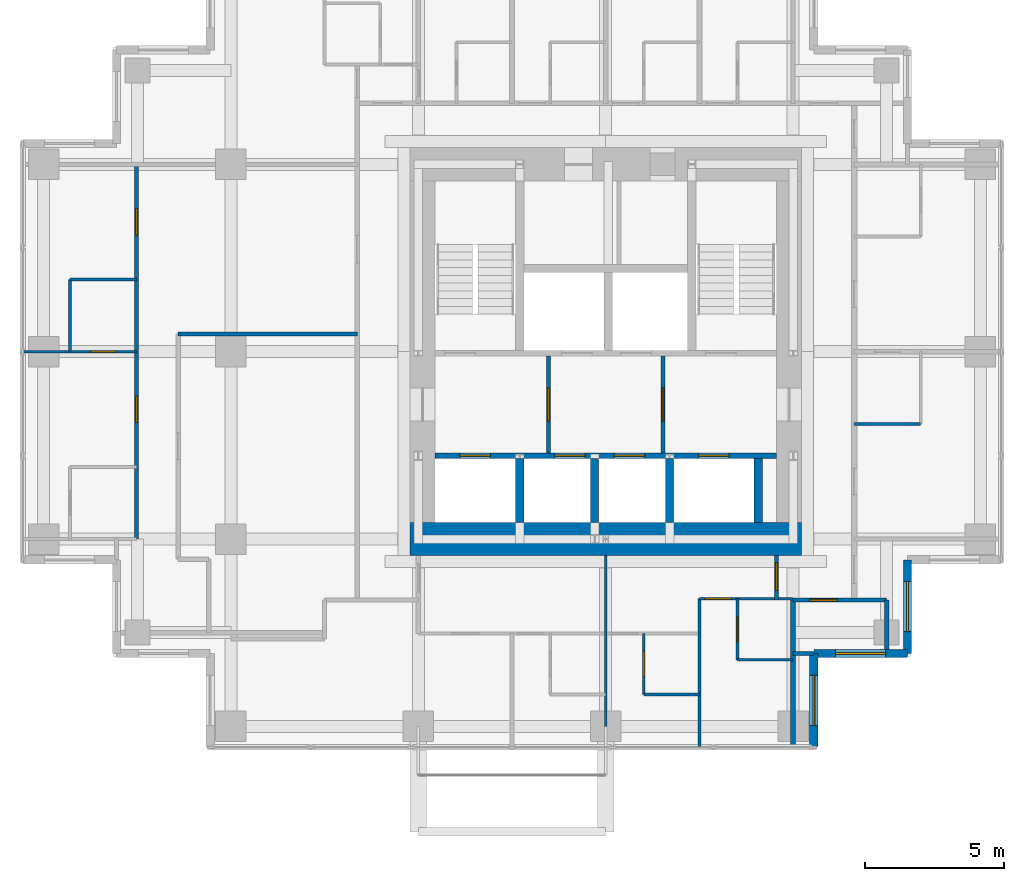
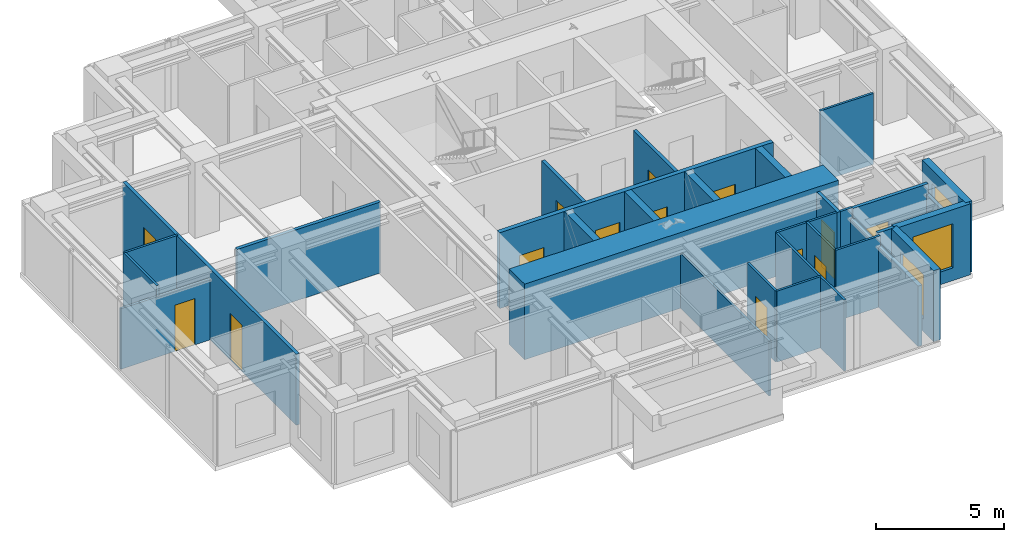
# One storey, part 4 of 8: 29 walls, 14 doors, 3 windows, 17 openings.
"""IFC4 building model written with IfcOpenShell, lengths in metres."""

from ifc_helpers import new_model, si_unit, direction, frame, frame_2d, origin, place, context, subcontext, project, spatial, rectangle, extrude, material, layer, layer_set, type_object, element, fill, save


model = new_model("IFC4")

# Units and contexts
model_context = context("Model", 3, precision=1e-05, world=origin(), true_north=direction((0.0, 1.0)))
body_context = subcontext(model_context, "Body", "Model", "MODEL_VIEW")
ifc_project = project(units=[si_unit("LENGTHUNIT", "METRE"), si_unit("AREAUNIT", "SQUARE_METRE"), si_unit("VOLUMEUNIT", "CUBIC_METRE"), si_unit("PLANEANGLEUNIT", "RADIAN"), si_unit("MASSUNIT", "GRAM", prefix="KILO")], contexts=[model_context])

# Site, building, storey
site_placement = place(None, origin())
site = spatial("IfcSite", under=ifc_project, at=site_placement, CompositionType="ELEMENT")
building_placement = place(site_placement, origin())
building = spatial("IfcBuilding", under=site, at=building_placement, Name="Nyansa Garden Tower", CompositionType="ELEMENT")
storey_placement = place(building_placement, frame((0.0, 0.0, 222.300048828125)))
storey = spatial("IfcBuildingStorey", under=building, at=storey_placement, Name="L60", CompositionType="ELEMENT", Elevation=222.300048828125)

# Wall
ifc_material_1 = material(Name="Dense blockwork, plastered both sides, 55 dB", Category="masonry")
ifc_layer_1 = layer(ifc_material_1, 0.175048828125)
ifc_layer_set_1 = layer_set([ifc_layer_1], Name="Acoustic party wall PW175")
wall_type_1 = type_object("IfcWallType", Name="Acoustic party wall PW175", PredefinedType="PARTITIONING", material=ifc_layer_set_1)
wall_1_placement = place(storey_placement, frame((27.0, 6.01611328125, 0.0), z_axis=(0.0, 0.0, 1.0), x_axis=(0.0, 1.0, 0.0)))
element("IfcWall", 1, at=wall_1_placement, inside=storey, type_object=wall_type_1, Name="Party wall", PredefinedType="PARTITIONING", context=body_context, shape_type="SweptSolid", body=[
    extrude(rectangle(XDim=5.333984375, YDim=0.175048828125, at=frame_2d((2.6669921875, 0.0))), origin(), (0.0, 0.0, 1.0), 2.876953125),
])

# Wall, openings, doors
ifc_material_2 = material(Name="Concrete C70/85", Category="concrete")
ifc_layer_2 = layer(ifc_material_2, 0.199951171875)
ifc_layer_set_2 = layer_set([ifc_layer_2], Name="Core inner wall CI200")
wall_type_2 = type_object("IfcWallType", Name="Core inner wall CI200", PredefinedType="SHEAR", material=ifc_layer_set_2)
wall_2_placement = place(storey_placement, frame((14.10009765625, 16.5, 0.0), z_axis=(0.0, 0.0, 1.0), x_axis=(1.0, 0.0, 0.0)))
wall_2 = element("IfcWall", 2, at=wall_2_placement, inside=storey, type_object=wall_type_2, Name="Core inner wall L60", PredefinedType="SHEAR", context=body_context, shape_type="SweptSolid", body=[
    extrude(rectangle(XDim=12.2998046875, YDim=0.199951171875, at=frame_2d((6.14990234375, 0.0))), origin(), (0.0, 0.0, 1.0), 3.599853515625),
])
opening_1_placement = place(wall_2_placement, frame((0.89990234375, 0.0, 0.0)))
opening_1 = element("IfcOpeningElement", 3, at=opening_1_placement, cuts=wall_2, Name="Opening LD-F", PredefinedType="OPENING", context=body_context, shape_type="SweptSolid", body=[
    extrude(rectangle(XDim=1.10009765625, YDim=2.199951171875, at=frame_2d((0.550048828125, 1.10009765625))), frame((0.0, 0.10986328125, 0.0), z_axis=(0.0, -1.0, 0.0), x_axis=(1.0, 0.0, 0.0)), (0.0, 0.0, 1.0), 0.219970703125),
])
opening_2_placement = place(wall_2_placement, frame((4.31005859375, 0.0, 0.0)))
opening_2 = element("IfcOpeningElement", 4, at=opening_2_placement, cuts=wall_2, Name="Opening LD-B", PredefinedType="OPENING", context=body_context, shape_type="SweptSolid", body=[
    extrude(rectangle(XDim=1.10009765625, YDim=2.199951171875, at=frame_2d((0.550048828125, 1.10009765625))), frame((0.0, 0.10986328125, 0.0), z_axis=(0.0, -1.0, 0.0), x_axis=(1.0, 0.0, 0.0)), (0.0, 0.0, 1.0), 0.219970703125),
])
opening_3_placement = place(wall_2_placement, frame((6.449951171875, 0.0, 0.0)))
opening_3 = element("IfcOpeningElement", 5, at=opening_3_placement, cuts=wall_2, Name="Opening LD-B", PredefinedType="OPENING", context=body_context, shape_type="SweptSolid", body=[
    extrude(rectangle(XDim=1.10009765625, YDim=2.199951171875, at=frame_2d((0.550048828125, 1.10009765625))), frame((0.0, 0.10986328125, 0.0), z_axis=(0.0, -1.0, 0.0), x_axis=(1.0, 0.0, 0.0)), (0.0, 0.0, 1.0), 0.219970703125),
])
opening_4_placement = place(wall_2_placement, frame((9.5, 0.0, 0.0)))
opening_4 = element("IfcOpeningElement", 6, at=opening_4_placement, cuts=wall_2, Name="Opening LD-F", PredefinedType="OPENING", context=body_context, shape_type="SweptSolid", body=[
    extrude(rectangle(XDim=1.10009765625, YDim=2.199951171875, at=frame_2d((0.550048828125, 1.10009765625))), frame((0.0, 0.10986328125, 0.0), z_axis=(0.0, -1.0, 0.0), x_axis=(1.0, 0.0, 0.0)), (0.0, 0.0, 1.0), 0.219970703125),
])
ifc_material_3 = material(Name="Stainless steel centre-opening landing door of the high-rise lift, E 120", Category="steel")
door_type_1 = type_object("IfcDoorType", Name="Lift landing door LD-B 1100x2200", OperationType="DOUBLE_DOOR_SLIDING", PredefinedType="DOOR", material=ifc_material_3)
door_1_placement = place(opening_2_placement, origin())
door_1 = element("IfcDoor", 7, at=door_1_placement, inside=storey, type_object=door_type_1, Name="Landing door B1", OperationType="DOUBLE_DOOR_SLIDING", OverallHeight=2.199951171875, OverallWidth=1.10009765625, PredefinedType="DOOR", context=body_context, shape_type="SweptSolid", body=[
    extrude(rectangle(XDim=1.10009765625, YDim=2.199951171875, at=frame_2d((0.550048828125, 1.10009765625))), frame((0.0, 0.02490234375, 0.0), z_axis=(0.0, -1.0, 0.0), x_axis=(1.0, 0.0, 0.0)), (0.0, 0.0, 1.0), 0.050048828125),
])
fill(opening_2, door_1)
door_2_placement = place(opening_3_placement, origin())
door_2 = element("IfcDoor", 8, at=door_2_placement, inside=storey, type_object=door_type_1, Name="Landing door B2", OperationType="DOUBLE_DOOR_SLIDING", OverallHeight=2.199951171875, OverallWidth=1.10009765625, PredefinedType="DOOR", context=body_context, shape_type="SweptSolid", body=[
    extrude(rectangle(XDim=1.10009765625, YDim=2.199951171875, at=frame_2d((0.550048828125, 1.10009765625))), frame((0.0, 0.02490234375, 0.0), z_axis=(0.0, -1.0, 0.0), x_axis=(1.0, 0.0, 0.0)), (0.0, 0.0, 1.0), 0.050048828125),
])
fill(opening_3, door_2)
ifc_material_4 = material(Name="Stainless steel centre-opening landing door of the firefighting lift, EN 81-72, E 120", Category="steel")
door_type_2 = type_object("IfcDoorType", Name="Lift landing door LD-F 1100x2200", OperationType="DOUBLE_DOOR_SLIDING", PredefinedType="DOOR", material=ifc_material_4)
door_3_placement = place(opening_1_placement, origin())
door_3 = element("IfcDoor", 9, at=door_3_placement, inside=storey, type_object=door_type_2, Name="Landing door FF1", OperationType="DOUBLE_DOOR_SLIDING", OverallHeight=2.199951171875, OverallWidth=1.10009765625, PredefinedType="DOOR", context=body_context, shape_type="SweptSolid", body=[
    extrude(rectangle(XDim=1.10009765625, YDim=2.199951171875, at=frame_2d((0.550048828125, 1.10009765625))), frame((0.0, 0.02490234375, 0.0), z_axis=(0.0, -1.0, 0.0), x_axis=(1.0, 0.0, 0.0)), (0.0, 0.0, 1.0), 0.050048828125),
])
fill(opening_1, door_3)
door_4_placement = place(opening_4_placement, origin())
door_4 = element("IfcDoor", 10, at=door_4_placement, inside=storey, type_object=door_type_2, Name="Landing door FF2", OperationType="DOUBLE_DOOR_SLIDING", OverallHeight=2.199951171875, OverallWidth=1.10009765625, PredefinedType="DOOR", context=body_context, shape_type="SweptSolid", body=[
    extrude(rectangle(XDim=1.10009765625, YDim=2.199951171875, at=frame_2d((0.550048828125, 1.10009765625))), frame((0.0, 0.02490234375, 0.0), z_axis=(0.0, -1.0, 0.0), x_axis=(1.0, 0.0, 0.0)), (0.0, 0.0, 1.0), 0.050048828125),
])
fill(opening_4, door_4)

# Walls
ifc_material_5 = material(Name="Concrete C70/85", Category="concrete")
ifc_layer_3 = layer(ifc_material_5, 0.300048828125)
ifc_layer_set_3 = layer_set([ifc_layer_3], Name="Core inner wall CI300")
wall_type_3 = type_object("IfcWallType", Name="Core inner wall CI300", PredefinedType="SHEAR", material=ifc_layer_set_3)
for number, where, z_axis, x_axis, name in (
    (11, (17.14990234375, 14.10009765625, 0.0), (0.0, 0.0, 1.0), (0.0, 1.0, 0.0), "Core inner wall L60"),
    (12, (19.85009765625, 14.10009765625, 0.0), (0.0, 0.0, 1.0), (0.0, 1.0, 0.0), "Core inner wall L60"),
    (13, (22.550048828125, 14.10009765625, 0.0), (0.0, 0.0, 1.0), (0.0, 1.0, 0.0), "Core inner wall L60"),
    (14, (25.75, 14.10009765625, 0.0), (0.0, 0.0, 1.0), (0.0, 1.0, 0.0), "Core inner wall L60"),
):
    element("IfcWall", number, at=place(storey_placement, frame(where, z_axis=z_axis, x_axis=x_axis)), inside=storey, type_object=wall_type_3, Name=name, PredefinedType="SHEAR", context=body_context, shape_type="SweptSolid", body=[
        extrude(rectangle(XDim=2.2998046875, YDim=0.300048828125, at=frame_2d((1.14990234375, 0.0))), origin(), (0.0, 0.0, 1.0), 3.599853515625),
    ])
ifc_material_6 = material(Name="Concrete C80/95", Category="concrete")
ifc_layer_4 = layer(ifc_material_6, 1.199951171875)
ifc_layer_set_4 = layer_set([ifc_layer_4], Name="Core wall CW1200")
wall_type_4 = type_object("IfcWallType", Name="Core wall CW1200", PredefinedType="SHEAR", material=ifc_layer_set_4)
wall_3_placement = place(storey_placement, frame((13.199951171875, 13.5, 0.0), z_axis=(0.0, 0.0, 1.0), x_axis=(1.0, 0.0, 0.0)))
element("IfcWall", 15, at=wall_3_placement, inside=storey, type_object=wall_type_4, Name="Core wall S L60", PredefinedType="SHEAR", context=body_context, shape_type="SweptSolid", body=[
    extrude(rectangle(XDim=14.10009765625, YDim=1.199951171875, at=frame_2d((7.050048828125, 0.0))), origin(), (0.0, 0.0, 1.0), 3.599853515625),
])

# Wall, opening, door
ifc_material_7 = material(Name="Blockwork, plastered both sides", Category="masonry")
ifc_layer_5 = layer(ifc_material_7, 0.14990234375)
ifc_layer_set_5 = layer_set([ifc_layer_5], Name="Partition PW150")
wall_type_5 = type_object("IfcWallType", Name="Partition PW150", PredefinedType="PARTITIONING", material=ifc_layer_set_5)
wall_4_placement = place(storey_placement, frame((18.18505859375, 16.60009765625, 0.0), z_axis=(0.0, 0.0, 1.0), x_axis=(0.0, 1.0, 0.0)))
wall_4 = element("IfcWall", 16, at=wall_4_placement, inside=storey, type_object=wall_type_5, Name="Partition", PredefinedType="PARTITIONING", context=body_context, shape_type="SweptSolid", body=[
    extrude(rectangle(XDim=3.5, YDim=0.14990234375, at=frame_2d((1.75, 0.0))), origin(), (0.0, 0.0, 1.0), 3.375),
])
opening_5_placement = place(wall_4_placement, frame((1.14990234375, 0.0, 0.0)))
opening_5 = element("IfcOpeningElement", 17, at=opening_5_placement, cuts=wall_4, Name="Opening D06", PredefinedType="OPENING", context=body_context, shape_type="SweptSolid", body=[
    extrude(rectangle(XDim=1.199951171875, YDim=2.199951171875, at=frame_2d((0.60009765625, 1.10009765625))), frame((0.0, 0.0849609375, 0.0), z_axis=(0.0, -1.0, 0.0), x_axis=(1.0, 0.0, 0.0)), (0.0, 0.0, 1.0), 0.169921875),
])
ifc_material_8 = material(Name="Steel door, 120 minute fire resisting", Category="steel")
door_type_3 = type_object("IfcDoorType", Name="Lobby door D06 1200x2200", OperationType="DOUBLE_DOOR_SINGLE_SWING", PredefinedType="DOOR", material=ifc_material_8)
door_5_placement = place(opening_5_placement, origin())
door_5 = element("IfcDoor", 18, at=door_5_placement, inside=storey, type_object=door_type_3, Name="Passenger lift lobby door", OperationType="DOUBLE_DOOR_SINGLE_SWING", OverallHeight=2.199951171875, OverallWidth=1.199951171875, PredefinedType="DOOR", context=body_context, shape_type="SweptSolid", body=[
    extrude(rectangle(XDim=1.199951171875, YDim=2.199951171875, at=frame_2d((0.60009765625, 1.10009765625))), frame((0.0, 0.02490234375, 0.0), z_axis=(0.0, -1.0, 0.0), x_axis=(1.0, 0.0, 0.0)), (0.0, 0.0, 1.0), 0.050048828125),
])
fill(opening_5, door_5)

wall_5_placement = place(storey_placement, frame((22.31494140625, 16.60009765625, 0.0), z_axis=(0.0, 0.0, 1.0), x_axis=(0.0, 1.0, 0.0)))
wall_5 = element("IfcWall", 19, at=wall_5_placement, inside=storey, type_object=wall_type_5, Name="Partition", PredefinedType="PARTITIONING", context=body_context, shape_type="SweptSolid", body=[
    extrude(rectangle(XDim=3.5, YDim=0.14990234375, at=frame_2d((1.75, 0.0))), origin(), (0.0, 0.0, 1.0), 3.375),
])
opening_6_placement = place(wall_5_placement, frame((1.14990234375, 0.0, 0.0)))
opening_6 = element("IfcOpeningElement", 20, at=opening_6_placement, cuts=wall_5, Name="Opening D06", PredefinedType="OPENING", context=body_context, shape_type="SweptSolid", body=[
    extrude(rectangle(XDim=1.199951171875, YDim=2.199951171875, at=frame_2d((0.60009765625, 1.10009765625))), frame((0.0, 0.0849609375, 0.0), z_axis=(0.0, -1.0, 0.0), x_axis=(1.0, 0.0, 0.0)), (0.0, 0.0, 1.0), 0.169921875),
])
door_6_placement = place(opening_6_placement, origin())
door_6 = element("IfcDoor", 21, at=door_6_placement, inside=storey, type_object=door_type_3, Name="Passenger lift lobby door", OperationType="DOUBLE_DOOR_SINGLE_SWING", OverallHeight=2.199951171875, OverallWidth=1.199951171875, PredefinedType="DOOR", context=body_context, shape_type="SweptSolid", body=[
    extrude(rectangle(XDim=1.199951171875, YDim=2.199951171875, at=frame_2d((0.60009765625, 1.10009765625))), frame((0.0, 0.02490234375, 0.0), z_axis=(0.0, -1.0, 0.0), x_axis=(1.0, 0.0, 0.0)), (0.0, 0.0, 1.0), 0.050048828125),
])
fill(opening_6, door_6)

# Wall, openings, doors
wall_6_placement = place(storey_placement, frame((3.35009765625, 13.5, 0.0), z_axis=(0.0, 0.0, 1.0), x_axis=(0.0, 1.0, 0.0)))
wall_6 = element("IfcWall", 22, at=wall_6_placement, inside=storey, type_object=wall_type_5, Name="Partition", PredefinedType="PARTITIONING", context=body_context, shape_type="SweptSolid", body=[
    extrude(rectangle(XDim=13.5, YDim=0.14990234375, at=frame_2d((6.75, 0.0))), origin(), (0.0, 0.0, 1.0), 3.375),
])
opening_7_placement = place(wall_6_placement, frame((4.199951171875, 0.0, 0.0)))
opening_7 = element("IfcOpeningElement", 23, at=opening_7_placement, cuts=wall_6, Name="Opening D14", PredefinedType="OPENING", context=body_context, shape_type="SweptSolid", body=[
    extrude(rectangle(XDim=0.949951171875, YDim=2.199951171875, at=frame_2d((0.47509765625, 1.10009765625))), frame((0.0, 0.0849609375, 0.0), z_axis=(0.0, -1.0, 0.0), x_axis=(1.0, 0.0, 0.0)), (0.0, 0.0, 1.0), 0.169921875),
])
opening_8_placement = place(wall_6_placement, frame((10.949951171875, 0.0, 0.0)))
opening_8 = element("IfcOpeningElement", 24, at=opening_8_placement, cuts=wall_6, Name="Opening D14", PredefinedType="OPENING", context=body_context, shape_type="SweptSolid", body=[
    extrude(rectangle(XDim=0.949951171875, YDim=2.199951171875, at=frame_2d((0.47509765625, 1.10009765625))), frame((0.0, 0.0849609375, 0.0), z_axis=(0.0, -1.0, 0.0), x_axis=(1.0, 0.0, 0.0)), (0.0, 0.0, 1.0), 0.169921875),
])
ifc_material_9 = material(Name="Timber flush door, 60 minute fire resisting, self-closing", Category="wood")
door_type_4 = type_object("IfcDoorType", Name="Studio entrance door D14 950x2200", OperationType="SINGLE_SWING_LEFT", PredefinedType="DOOR", material=ifc_material_9)
door_7_placement = place(opening_7_placement, origin())
door_7 = element("IfcDoor", 25, at=door_7_placement, inside=storey, type_object=door_type_4, Name="Door L60-045", OperationType="SINGLE_SWING_LEFT", OverallHeight=2.199951171875, OverallWidth=0.949951171875, PredefinedType="DOOR", context=body_context, shape_type="SweptSolid", body=[
    extrude(rectangle(XDim=0.949951171875, YDim=2.199951171875, at=frame_2d((0.47509765625, 1.10009765625))), frame((0.0, 0.02490234375, 0.0), z_axis=(0.0, -1.0, 0.0), x_axis=(1.0, 0.0, 0.0)), (0.0, 0.0, 1.0), 0.050048828125),
])
fill(opening_7, door_7)
door_8_placement = place(opening_8_placement, origin())
door_8 = element("IfcDoor", 26, at=door_8_placement, inside=storey, type_object=door_type_4, Name="Door L60-047", OperationType="SINGLE_SWING_LEFT", OverallHeight=2.199951171875, OverallWidth=0.949951171875, PredefinedType="DOOR", context=body_context, shape_type="SweptSolid", body=[
    extrude(rectangle(XDim=0.949951171875, YDim=2.199951171875, at=frame_2d((0.47509765625, 1.10009765625))), frame((0.0, 0.02490234375, 0.0), z_axis=(0.0, -1.0, 0.0), x_axis=(1.0, 0.0, 0.0)), (0.0, 0.0, 1.0), 0.050048828125),
])
fill(opening_8, door_8)

# Wall
wall_7_placement = place(storey_placement, frame((4.85009765625, 20.886962890625, 0.0), z_axis=(0.0, 0.0, 1.0), x_axis=(1.0, 0.0, 0.0)))
element("IfcWall", 27, at=wall_7_placement, inside=storey, type_object=wall_type_5, Name="Partition", PredefinedType="PARTITIONING", context=body_context, shape_type="SweptSolid", body=[
    extrude(rectangle(XDim=6.449951171875, YDim=0.14990234375, at=frame_2d((3.22509765625, 0.0))), origin(), (0.0, 0.0, 1.0), 3.375),
])

# Wall, opening, door
wall_8_placement = place(storey_placement, frame((26.39990234375, 11.300048828125, 0.0), z_axis=(0.0, 0.0, 1.0), x_axis=(0.0, 1.0, 0.0)))
wall_8 = element("IfcWall", 28, at=wall_8_placement, inside=storey, type_object=wall_type_5, Name="Partition", PredefinedType="PARTITIONING", context=body_context, shape_type="SweptSolid", body=[
    extrude(rectangle(XDim=1.599853515625, YDim=0.14990234375, at=frame_2d((0.7998046875, 0.0))), origin(), (0.0, 0.0, 1.0), 3.375),
])
opening_9_placement = place(wall_8_placement, frame((0.35009765625, 0.0, 0.0)))
opening_9 = element("IfcOpeningElement", 29, at=opening_9_placement, cuts=wall_8, Name="Opening D03", PredefinedType="OPENING", context=body_context, shape_type="SweptSolid", body=[
    extrude(rectangle(XDim=1.0, YDim=2.199951171875, at=frame_2d((0.5, 1.10009765625))), frame((0.0, 0.0849609375, 0.0), z_axis=(0.0, -1.0, 0.0), x_axis=(1.0, 0.0, 0.0)), (0.0, 0.0, 1.0), 0.169921875),
])
ifc_material_10 = material(Name="Timber flush door, 60 minute fire resisting", Category="wood")
door_type_5 = type_object("IfcDoorType", Name="Cluster entrance door D03 1000x2200", OperationType="SINGLE_SWING_LEFT", PredefinedType="DOOR", material=ifc_material_10)
door_9_placement = place(opening_9_placement, origin())
door_9 = element("IfcDoor", 30, at=door_9_placement, inside=storey, type_object=door_type_5, Name="Door L60-025", OperationType="SINGLE_SWING_LEFT", OverallHeight=2.199951171875, OverallWidth=1.0, PredefinedType="DOOR", context=body_context, shape_type="SweptSolid", body=[
    extrude(rectangle(XDim=1.0, YDim=2.199951171875, at=frame_2d((0.5, 1.10009765625))), frame((0.0, 0.02490234375, 0.0), z_axis=(0.0, -1.0, 0.0), x_axis=(1.0, 0.0, 0.0)), (0.0, 0.0, 1.0), 0.050048828125),
])
fill(opening_9, door_9)

wall_9_placement = place(storey_placement, frame((27.0, 11.300048828125, 0.0), z_axis=(0.0, 0.0, 1.0), x_axis=(1.0, 0.0, 0.0)))
wall_9 = element("IfcWall", 31, at=wall_9_placement, inside=storey, type_object=wall_type_5, Name="Partition", PredefinedType="PARTITIONING", context=body_context, shape_type="SweptSolid", body=[
    extrude(rectangle(XDim=3.375, YDim=0.14990234375, at=frame_2d((1.6875, 0.0))), origin(), (0.0, 0.0, 1.0), 3.375),
])
opening_10_placement = place(wall_9_placement, frame((0.60009765625, 0.0, 0.0)))
opening_10 = element("IfcOpeningElement", 32, at=opening_10_placement, cuts=wall_9, Name="Opening D03", PredefinedType="OPENING", context=body_context, shape_type="SweptSolid", body=[
    extrude(rectangle(XDim=1.0, YDim=2.199951171875, at=frame_2d((0.5, 1.10009765625))), frame((0.0, 0.0849609375, 0.0), z_axis=(0.0, -1.0, 0.0), x_axis=(1.0, 0.0, 0.0)), (0.0, 0.0, 1.0), 0.169921875),
])
door_10_placement = place(opening_10_placement, origin())
door_10 = element("IfcDoor", 33, at=door_10_placement, inside=storey, type_object=door_type_5, Name="Door L60-024", OperationType="SINGLE_SWING_LEFT", OverallHeight=2.199951171875, OverallWidth=1.0, PredefinedType="DOOR", context=body_context, shape_type="SweptSolid", body=[
    extrude(rectangle(XDim=1.0, YDim=2.199951171875, at=frame_2d((0.5, 1.10009765625))), frame((0.0, 0.02490234375, 0.0), z_axis=(0.0, -1.0, 0.0), x_axis=(1.0, 0.0, 0.0)), (0.0, 0.0, 1.0), 0.050048828125),
])
fill(opening_10, door_10)

# Walls
wall_10_placement = place(storey_placement, frame((27.0, 9.375, 0.0), z_axis=(0.0, 0.0, 1.0), x_axis=(1.0, 0.0, 0.0)))
element("IfcWall", 34, at=wall_10_placement, inside=storey, type_object=wall_type_5, Name="Partition", PredefinedType="PARTITIONING", context=body_context, shape_type="SweptSolid", body=[
    extrude(rectangle(XDim=0.73388671875, YDim=0.14990234375, at=frame_2d((0.366943359375, 0.0))), origin(), (0.0, 0.0, 1.0), 3.375),
])
wall_11_placement = place(storey_placement, frame((30.375, 9.52490234375, 0.0), z_axis=(0.0, 0.0, 1.0), x_axis=(0.0, 1.0, 0.0)))
element("IfcWall", 35, at=wall_11_placement, inside=storey, type_object=wall_type_5, Name="Partition", PredefinedType="PARTITIONING", context=body_context, shape_type="SweptSolid", body=[
    extrude(rectangle(XDim=1.775146484375, YDim=0.14990234375, at=frame_2d((0.8876953125, 0.0))), origin(), (0.0, 0.0, 1.0), 2.876953125),
])

# Wall, opening, window
ifc_material_11 = material(Name="Turquoise glazed tile on concrete blockwork", Category="masonry")
ifc_layer_6 = layer(ifc_material_11, 0.300048828125)
ifc_layer_set_6 = layer_set([ifc_layer_6], Name="Tiled corner wall TW300")
wall_type_6 = type_object("IfcWallType", Name="Tiled corner wall TW300", PredefinedType="SOLIDWALL", material=ifc_layer_set_6)
wall_12_placement = place(storey_placement, frame((27.75, 6.0, 0.0), z_axis=(0.0, 0.0, 1.0), x_axis=(0.0, 1.0, 0.0)))
wall_12 = element("IfcWall", 36, at=wall_12_placement, inside=storey, type_object=wall_type_6, Name="Tiled corner wall L60", PredefinedType="SOLIDWALL", context=body_context, shape_type="SweptSolid", body=[
    extrude(rectangle(XDim=3.375, YDim=0.300048828125, at=frame_2d((1.6875, 0.0))), origin(), (0.0, 0.0, 1.0), 3.375),
])
opening_11_placement = place(wall_12_placement, frame((0.78759765625, 0.0, 0.60009765625)))
opening_11 = element("IfcOpeningElement", 37, at=opening_11_placement, cuts=wall_12, Name="Opening W2", PredefinedType="OPENING", context=body_context, shape_type="SweptSolid", body=[
    extrude(rectangle(XDim=1.800048828125, YDim=2.10009765625, at=frame_2d((0.89990234375, 1.050048828125))), frame((0.0, 0.159912109375, 0.0), z_axis=(0.0, -1.0, 0.0), x_axis=(1.0, 0.0, 0.0)), (0.0, 0.0, 1.0), 0.320068359375),
])
ifc_material_12 = material(Name="Black aluminium frame, dark tinted double glazing", Category="aluminium")
window_type = type_object("IfcWindowType", Name="Window W2 1800x2100", PartitioningType="SINGLE_PANEL", PredefinedType="WINDOW", material=ifc_material_12)
window_1_placement = place(opening_11_placement, origin())
window_1 = element("IfcWindow", 38, at=window_1_placement, inside=storey, type_object=window_type, Name="Corner window L60", OverallHeight=2.10009765625, OverallWidth=1.800048828125, PartitioningType="SINGLE_PANEL", PredefinedType="WINDOW", context=body_context, shape_type="SweptSolid", body=[
    extrude(rectangle(XDim=1.800048828125, YDim=2.10009765625, at=frame_2d((0.89990234375, 1.050048828125))), frame((0.0, 0.030029296875, 0.0), z_axis=(0.0, -1.0, 0.0), x_axis=(1.0, 0.0, 0.0)), (0.0, 0.0, 1.0), 0.06005859375),
])
fill(opening_11, window_1)

wall_13_placement = place(storey_placement, frame((27.75, 9.375, 0.0), z_axis=(0.0, 0.0, 1.0), x_axis=(1.0, 0.0, 0.0)))
wall_13 = element("IfcWall", 39, at=wall_13_placement, inside=storey, type_object=wall_type_6, Name="Tiled corner wall L60", PredefinedType="SOLIDWALL", context=body_context, shape_type="SweptSolid", body=[
    extrude(rectangle(XDim=3.375, YDim=0.300048828125, at=frame_2d((1.6875, 0.0))), origin(), (0.0, 0.0, 1.0), 3.375),
])
opening_12_placement = place(wall_13_placement, frame((0.78759765625, 0.0, 0.60009765625)))
opening_12 = element("IfcOpeningElement", 40, at=opening_12_placement, cuts=wall_13, Name="Opening W2", PredefinedType="OPENING", context=body_context, shape_type="SweptSolid", body=[
    extrude(rectangle(XDim=1.800048828125, YDim=2.10009765625, at=frame_2d((0.89990234375, 1.050048828125))), frame((0.0, 0.159912109375, 0.0), z_axis=(0.0, -1.0, 0.0), x_axis=(1.0, 0.0, 0.0)), (0.0, 0.0, 1.0), 0.320068359375),
])
window_2_placement = place(opening_12_placement, origin())
window_2 = element("IfcWindow", 41, at=window_2_placement, inside=storey, type_object=window_type, Name="Corner window L60", OverallHeight=2.10009765625, OverallWidth=1.800048828125, PartitioningType="SINGLE_PANEL", PredefinedType="WINDOW", context=body_context, shape_type="SweptSolid", body=[
    extrude(rectangle(XDim=1.800048828125, YDim=2.10009765625, at=frame_2d((0.89990234375, 1.050048828125))), frame((0.0, 0.030029296875, 0.0), z_axis=(0.0, -1.0, 0.0), x_axis=(1.0, 0.0, 0.0)), (0.0, 0.0, 1.0), 0.06005859375),
])
fill(opening_12, window_2)

wall_14_placement = place(storey_placement, frame((31.125, 9.375, 0.0), z_axis=(0.0, 0.0, 1.0), x_axis=(0.0, 1.0, 0.0)))
wall_14 = element("IfcWall", 42, at=wall_14_placement, inside=storey, type_object=wall_type_6, Name="Tiled corner wall L60", PredefinedType="SOLIDWALL", context=body_context, shape_type="SweptSolid", body=[
    extrude(rectangle(XDim=3.375, YDim=0.300048828125, at=frame_2d((1.6875, 0.0))), origin(), (0.0, 0.0, 1.0), 3.375),
])
opening_13_placement = place(wall_14_placement, frame((0.78759765625, 0.0, 0.60009765625)))
opening_13 = element("IfcOpeningElement", 43, at=opening_13_placement, cuts=wall_14, Name="Opening W2", PredefinedType="OPENING", context=body_context, shape_type="SweptSolid", body=[
    extrude(rectangle(XDim=1.800048828125, YDim=2.10009765625, at=frame_2d((0.89990234375, 1.050048828125))), frame((0.0, 0.159912109375, 0.0), z_axis=(0.0, -1.0, 0.0), x_axis=(1.0, 0.0, 0.0)), (0.0, 0.0, 1.0), 0.320068359375),
])
window_3_placement = place(opening_13_placement, origin())
window_3 = element("IfcWindow", 44, at=window_3_placement, inside=storey, type_object=window_type, Name="Corner window L60", OverallHeight=2.10009765625, OverallWidth=1.800048828125, PartitioningType="SINGLE_PANEL", PredefinedType="WINDOW", context=body_context, shape_type="SweptSolid", body=[
    extrude(rectangle(XDim=1.800048828125, YDim=2.10009765625, at=frame_2d((0.89990234375, 1.050048828125))), frame((0.0, 0.030029296875, 0.0), z_axis=(0.0, -1.0, 0.0), x_axis=(1.0, 0.0, 0.0)), (0.0, 0.0, 1.0), 0.06005859375),
])
fill(opening_13, window_3)

# Wall, opening, door
ifc_material_13 = material(Name="Moisture resistant board on steel studs, tiled", Category="steel")
ifc_layer_7 = layer(ifc_material_13, 0.10009765625)
ifc_layer_set_7 = layer_set([ifc_layer_7], Name="Wet wall PW100")
wall_type_7 = type_object("IfcWallType", Name="Wet wall PW100", PredefinedType="PARTITIONING", material=ifc_layer_set_7)
wall_15_placement = place(storey_placement, frame((-0.73388671875, 20.25, 0.0), z_axis=(0.0, 0.0, 1.0), x_axis=(1.0, 0.0, 0.0)))
wall_15 = element("IfcWall", 45, at=wall_15_placement, inside=storey, type_object=wall_type_7, Name="Wet wall", PredefinedType="PARTITIONING", context=body_context, shape_type="SweptSolid", body=[
    extrude(rectangle(XDim=4.083984375, YDim=0.10009765625, at=frame_2d((2.0419921875, 0.0))), origin(), (0.0, 0.0, 1.0), 2.876953125),
])
opening_14_placement = place(wall_15_placement, frame((2.43408203125, 0.0, 0.0)))
opening_14 = element("IfcOpeningElement", 46, at=opening_14_placement, cuts=wall_15, Name="Opening D02", PredefinedType="OPENING", context=body_context, shape_type="SweptSolid", body=[
    extrude(rectangle(XDim=0.89990234375, YDim=2.199951171875, at=frame_2d((0.449951171875, 1.10009765625))), frame((0.0, 0.06005859375, 0.0), z_axis=(0.0, -1.0, 0.0), x_axis=(1.0, 0.0, 0.0)), (0.0, 0.0, 1.0), 0.1201171875),
])
ifc_material_14 = material(Name="Timber flush door", Category="wood")
door_type_6 = type_object("IfcDoorType", Name="En-suite door D02 900x2200", OperationType="SINGLE_SWING_RIGHT", PredefinedType="DOOR", material=ifc_material_14)
door_11_placement = place(opening_14_placement, origin())
door_11 = element("IfcDoor", 47, at=door_11_placement, inside=storey, type_object=door_type_6, Name="Door L60-048", OperationType="SINGLE_SWING_RIGHT", OverallHeight=2.199951171875, OverallWidth=0.89990234375, PredefinedType="DOOR", context=body_context, shape_type="SweptSolid", body=[
    extrude(rectangle(XDim=0.89990234375, YDim=2.199951171875, at=frame_2d((0.449951171875, 1.10009765625))), frame((0.0, 0.02490234375, 0.0), z_axis=(0.0, -1.0, 0.0), x_axis=(1.0, 0.0, 0.0)), (0.0, 0.0, 1.0), 0.050048828125),
])
fill(opening_14, door_11)

# Walls
wall_16_placement = place(storey_placement, frame((0.949951171875, 20.25, 0.0), z_axis=(0.0, 0.0, 1.0), x_axis=(0.0, 1.0, 0.0)))
element("IfcWall", 48, at=wall_16_placement, inside=storey, type_object=wall_type_7, Name="Wet wall", PredefinedType="PARTITIONING", context=body_context, shape_type="SweptSolid", body=[
    extrude(rectangle(XDim=2.60009765625, YDim=0.10009765625, at=frame_2d((1.300048828125, 0.0))), origin(), (0.0, 0.0, 1.0), 3.375),
])
wall_17_placement = place(storey_placement, frame((0.949951171875, 22.85009765625, 0.0), z_axis=(0.0, 0.0, 1.0), x_axis=(1.0, 0.0, 0.0)))
element("IfcWall", 49, at=wall_17_placement, inside=storey, type_object=wall_type_7, Name="Wet wall", PredefinedType="PARTITIONING", context=body_context, shape_type="SweptSolid", body=[
    extrude(rectangle(XDim=2.400146484375, YDim=0.10009765625, at=frame_2d((1.2001953125, 0.0))), origin(), (0.0, 0.0, 1.0), 3.375),
])
wall_18_placement = place(storey_placement, frame((20.25, 6.01611328125, 0.0), z_axis=(0.0, 0.0, 1.0), x_axis=(0.0, 1.0, 0.0)))
element("IfcWall", 50, at=wall_18_placement, inside=storey, type_object=wall_type_7, Name="Wet wall", PredefinedType="PARTITIONING", context=body_context, shape_type="SweptSolid", body=[
    extrude(rectangle(XDim=6.8837890625, YDim=0.10009765625, at=frame_2d((3.44189453125, 0.0))), origin(), (0.0, 0.0, 1.0), 2.60986328125),
])

# Wall, opening, door
wall_19_placement = place(storey_placement, frame((21.625, 7.89990234375, 0.0), z_axis=(0.0, 0.0, 1.0), x_axis=(0.0, 1.0, 0.0)))
wall_19 = element("IfcWall", 51, at=wall_19_placement, inside=storey, type_object=wall_type_7, Name="Wet wall", PredefinedType="PARTITIONING", context=body_context, shape_type="SweptSolid", body=[
    extrude(rectangle(XDim=2.2001953125, YDim=0.10009765625, at=frame_2d((1.10009765625, 0.0))), origin(), (0.0, 0.0, 1.0), 3.375),
])
opening_15_placement = place(wall_19_placement, frame((0.64990234375, 0.0, 0.0)))
opening_15 = element("IfcOpeningElement", 52, at=opening_15_placement, cuts=wall_19, Name="Opening D02", PredefinedType="OPENING", context=body_context, shape_type="SweptSolid", body=[
    extrude(rectangle(XDim=0.89990234375, YDim=2.199951171875, at=frame_2d((0.449951171875, 1.10009765625))), frame((0.0, 0.06005859375, 0.0), z_axis=(0.0, -1.0, 0.0), x_axis=(1.0, 0.0, 0.0)), (0.0, 0.0, 1.0), 0.1201171875),
])
door_12_placement = place(opening_15_placement, origin())
door_12 = element("IfcDoor", 53, at=door_12_placement, inside=storey, type_object=door_type_6, Name="Door L60-021", OperationType="SINGLE_SWING_RIGHT", OverallHeight=2.199951171875, OverallWidth=0.89990234375, PredefinedType="DOOR", context=body_context, shape_type="SweptSolid", body=[
    extrude(rectangle(XDim=0.89990234375, YDim=2.199951171875, at=frame_2d((0.449951171875, 1.10009765625))), frame((0.0, 0.02490234375, 0.0), z_axis=(0.0, -1.0, 0.0), x_axis=(1.0, 0.0, 0.0)), (0.0, 0.0, 1.0), 0.050048828125),
])
fill(opening_15, door_12)

# Walls
wall_20_placement = place(storey_placement, frame((21.625, 7.89990234375, 0.0), z_axis=(0.0, 0.0, 1.0), x_axis=(1.0, 0.0, 0.0)))
element("IfcWall", 54, at=wall_20_placement, inside=storey, type_object=wall_type_7, Name="Wet wall", PredefinedType="PARTITIONING", context=body_context, shape_type="SweptSolid", body=[
    extrude(rectangle(XDim=2.0, YDim=0.10009765625, at=frame_2d((1.0, 0.0))), origin(), (0.0, 0.0, 1.0), 3.375),
])
wall_21_placement = place(storey_placement, frame((23.625, 6.01611328125, 0.0), z_axis=(0.0, 0.0, 1.0), x_axis=(0.0, 1.0, 0.0)))
element("IfcWall", 55, at=wall_21_placement, inside=storey, type_object=wall_type_7, Name="Wet wall", PredefinedType="PARTITIONING", context=body_context, shape_type="SweptSolid", body=[
    extrude(rectangle(XDim=5.333984375, YDim=0.10009765625, at=frame_2d((2.6669921875, 0.0))), origin(), (0.0, 0.0, 1.0), 3.375),
])

# Wall, opening, door
wall_22_placement = place(storey_placement, frame((23.625, 11.35009765625, 0.0), z_axis=(0.0, 0.0, 1.0), x_axis=(1.0, 0.0, 0.0)))
wall_22 = element("IfcWall", 56, at=wall_22_placement, inside=storey, type_object=wall_type_7, Name="Wet wall", PredefinedType="PARTITIONING", context=body_context, shape_type="SweptSolid", body=[
    extrude(rectangle(XDim=3.375, YDim=0.10009765625, at=frame_2d((1.6875, 0.0))), origin(), (0.0, 0.0, 1.0), 3.375),
])
opening_16_placement = place(wall_22_placement, frame((0.199951171875, 0.0, 0.0)))
opening_16 = element("IfcOpeningElement", 57, at=opening_16_placement, cuts=wall_22, Name="Opening D14", PredefinedType="OPENING", context=body_context, shape_type="SweptSolid", body=[
    extrude(rectangle(XDim=0.949951171875, YDim=2.199951171875, at=frame_2d((0.47509765625, 1.10009765625))), frame((0.0, 0.06005859375, 0.0), z_axis=(0.0, -1.0, 0.0), x_axis=(1.0, 0.0, 0.0)), (0.0, 0.0, 1.0), 0.1201171875),
])
door_13_placement = place(opening_16_placement, origin())
door_13 = element("IfcDoor", 58, at=door_13_placement, inside=storey, type_object=door_type_4, Name="Door L60-022", OperationType="SINGLE_SWING_LEFT", OverallHeight=2.199951171875, OverallWidth=0.949951171875, PredefinedType="DOOR", context=body_context, shape_type="SweptSolid", body=[
    extrude(rectangle(XDim=0.949951171875, YDim=2.199951171875, at=frame_2d((0.47509765625, 1.10009765625))), frame((0.0, 0.02490234375, 0.0), z_axis=(0.0, -1.0, 0.0), x_axis=(1.0, 0.0, 0.0)), (0.0, 0.0, 1.0), 0.050048828125),
])
fill(opening_16, door_13)

wall_23_placement = place(storey_placement, frame((25.0, 9.14990234375, 0.0), z_axis=(0.0, 0.0, 1.0), x_axis=(0.0, 1.0, 0.0)))
wall_23 = element("IfcWall", 59, at=wall_23_placement, inside=storey, type_object=wall_type_7, Name="Wet wall", PredefinedType="PARTITIONING", context=body_context, shape_type="SweptSolid", body=[
    extrude(rectangle(XDim=2.2001953125, YDim=0.10009765625, at=frame_2d((1.10009765625, 0.0))), origin(), (0.0, 0.0, 1.0), 3.375),
])
opening_17_placement = place(wall_23_placement, frame((0.64990234375, 0.0, 0.0)))
opening_17 = element("IfcOpeningElement", 60, at=opening_17_placement, cuts=wall_23, Name="Opening D02", PredefinedType="OPENING", context=body_context, shape_type="SweptSolid", body=[
    extrude(rectangle(XDim=0.89990234375, YDim=2.199951171875, at=frame_2d((0.449951171875, 1.10009765625))), frame((0.0, 0.06005859375, 0.0), z_axis=(0.0, -1.0, 0.0), x_axis=(1.0, 0.0, 0.0)), (0.0, 0.0, 1.0), 0.1201171875),
])
door_14_placement = place(opening_17_placement, origin())
door_14 = element("IfcDoor", 61, at=door_14_placement, inside=storey, type_object=door_type_6, Name="Door L60-023", OperationType="SINGLE_SWING_RIGHT", OverallHeight=2.199951171875, OverallWidth=0.89990234375, PredefinedType="DOOR", context=body_context, shape_type="SweptSolid", body=[
    extrude(rectangle(XDim=0.89990234375, YDim=2.199951171875, at=frame_2d((0.449951171875, 1.10009765625))), frame((0.0, 0.02490234375, 0.0), z_axis=(0.0, -1.0, 0.0), x_axis=(1.0, 0.0, 0.0)), (0.0, 0.0, 1.0), 0.050048828125),
])
fill(opening_17, door_14)

# Walls
wall_24_placement = place(storey_placement, frame((25.0, 9.14990234375, 0.0), z_axis=(0.0, 0.0, 1.0), x_axis=(1.0, 0.0, 0.0)))
element("IfcWall", 62, at=wall_24_placement, inside=storey, type_object=wall_type_7, Name="Wet wall", PredefinedType="PARTITIONING", context=body_context, shape_type="SweptSolid", body=[
    extrude(rectangle(XDim=2.0, YDim=0.10009765625, at=frame_2d((1.0, 0.0))), origin(), (0.0, 0.0, 1.0), 3.375),
])
wall_25_placement = place(storey_placement, frame((29.199951171875, 17.64990234375, 0.0), z_axis=(0.0, 0.0, 1.0), x_axis=(1.0, 0.0, 0.0)))
element("IfcWall", 63, at=wall_25_placement, inside=storey, type_object=wall_type_7, Name="Wet wall", PredefinedType="PARTITIONING", context=body_context, shape_type="SweptSolid", body=[
    extrude(rectangle(XDim=2.400146484375, YDim=0.10009765625, at=frame_2d((1.2001953125, 0.0))), origin(), (0.0, 0.0, 1.0), 3.375),
])

save(model, "model.ifc")
